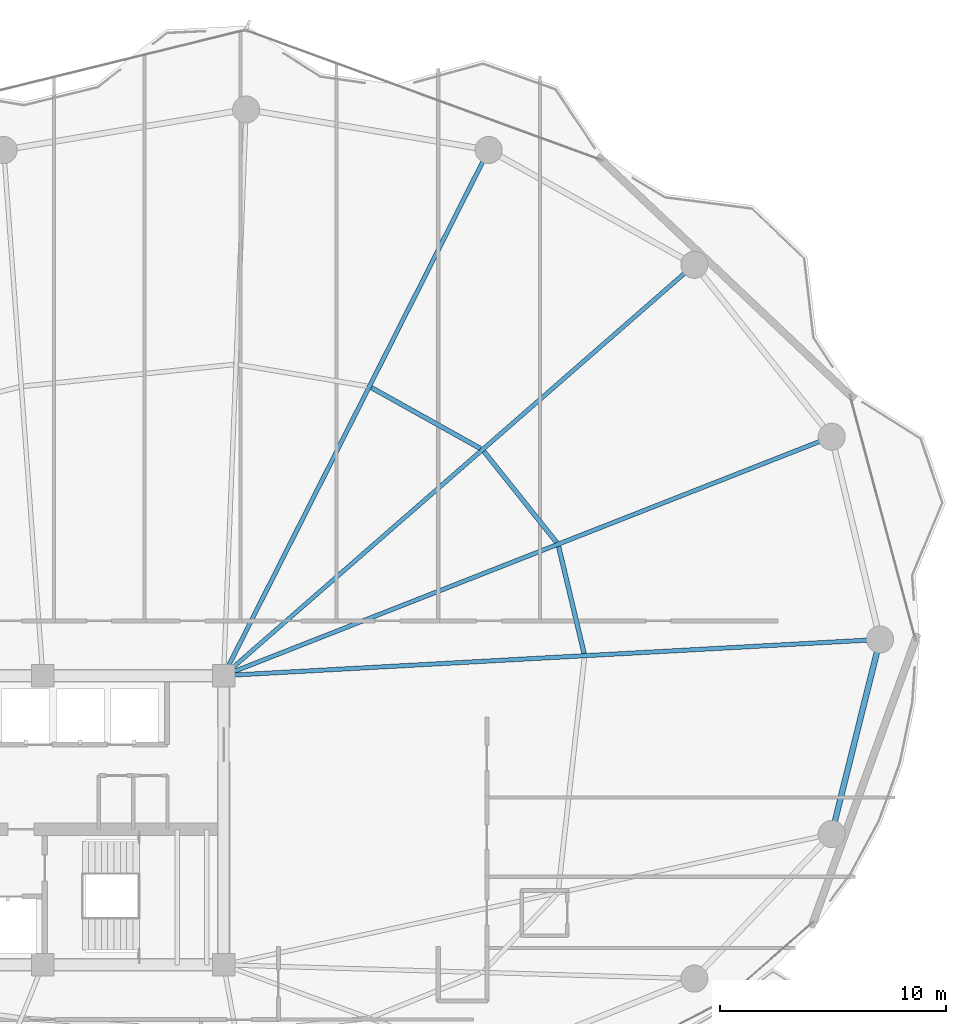
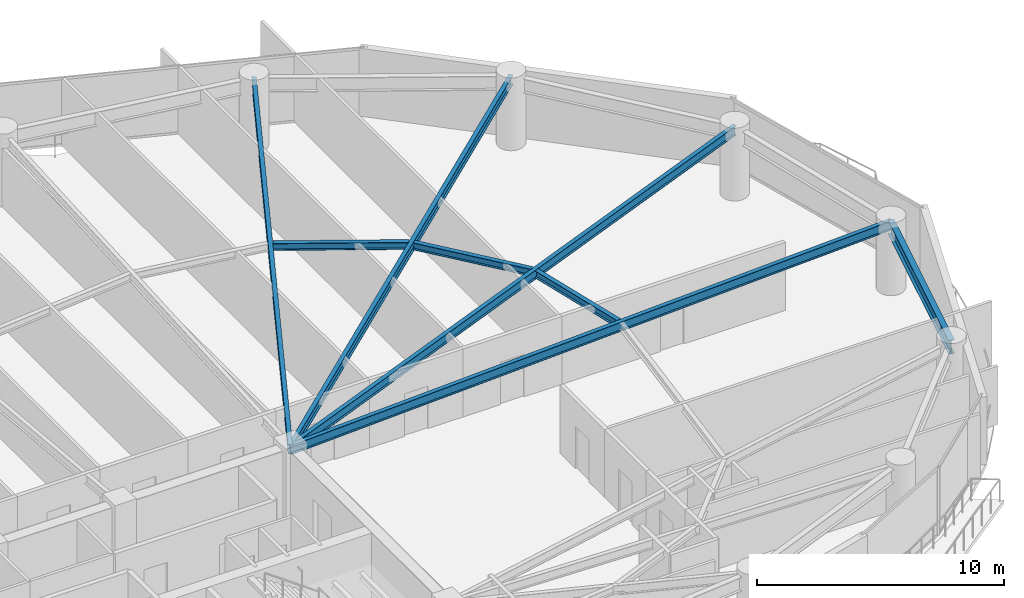
# One storey, part 14 of 28: 8 beams.
"""IFC4 building model written with IfcOpenShell, lengths in metres."""

from ifc_helpers import new_model, si_unit, direction, frame, origin, origin_2d, place, context, subcontext, project, spatial, i_section, extrude, material, material_profile, profile_set, type_object, element, save


model = new_model("IFC4")

# Units and contexts
model_context = context("Model", 3, precision=1e-05, world=origin(), true_north=direction((0.0, 1.0)))
body_context = subcontext(model_context, "Body", "Model", "MODEL_VIEW")
ifc_project = project(units=[si_unit("LENGTHUNIT", "METRE"), si_unit("AREAUNIT", "SQUARE_METRE"), si_unit("VOLUMEUNIT", "CUBIC_METRE"), si_unit("PLANEANGLEUNIT", "RADIAN"), si_unit("MASSUNIT", "GRAM", prefix="KILO")], contexts=[model_context])

# Site, building, storey
site_placement = place(None, origin())
site = spatial("IfcSite", under=ifc_project, at=site_placement, CompositionType="ELEMENT")
building_placement = place(site_placement, origin())
building = spatial("IfcBuilding", under=site, at=building_placement, Name="Kazevale Care Tower and Concert Hall", CompositionType="ELEMENT")
storey_placement = place(building_placement, frame((0.0, 0.0, 120.60009765625)))
storey = spatial("IfcBuildingStorey", under=building, at=storey_placement, Name="L31", CompositionType="ELEMENT", Elevation=120.60009765625)

# Beams
ifc_material = material(Name="Steel ASTM A572 Gr 50", Category="steel")
ifc_material_profile_1 = material_profile(ifc_material, i_section(OverallWidth=0.19091796875, OverallDepth=0.4599609375, WebThickness=0.010009765625, FlangeThickness=0.01611328125, at=origin_2d()), Name="W460x82")
ifc_profile_set_1 = profile_set([ifc_material_profile_1], Name="Steel ASTM A572 Gr 50")
beam_type_1 = type_object("IfcBeamType", Name="Radial Floor Beam W460x82", PredefinedType="BEAM", material=ifc_profile_set_1)
beam_1_placement = place(storey_placement, frame((44.0, 36.39990234375, 3.1298828125), z_axis=(0.998486500016, 0.054997357076, 0.0), x_axis=(-0.054997357076, 0.998486500016, 0.0)))
element("IfcBeam", 1, at=beam_1_placement, inside=storey, type_object=beam_type_1, Name="beam:L31:rad:01", PredefinedType="BEAM", context=body_context, shape_type="SweptSolid", body=[
    extrude(i_section(OverallWidth=0.19091796875, OverallDepth=0.4599609375, WebThickness=0.010009765625, FlangeThickness=0.01611328125, at=origin_2d()), origin(), (0.0, 0.0, 1.0), 29.093994140625),
])
beam_2_placement = place(storey_placement, frame((44.0, 36.39990234375, 3.1298828125), z_axis=(0.930771301513, 0.36560194786, 0.0), x_axis=(-0.36560194786, 0.930771301513, 0.0)))
element("IfcBeam", 2, at=beam_2_placement, inside=storey, type_object=beam_type_1, Name="beam:L31:rad:02", PredefinedType="BEAM", context=body_context, shape_type="SweptSolid", body=[
    extrude(i_section(OverallWidth=0.19091796875, OverallDepth=0.4599609375, WebThickness=0.010009765625, FlangeThickness=0.01611328125, at=origin_2d()), origin(), (0.0, 0.0, 1.0), 28.911376953125),
])
beam_3_placement = place(storey_placement, frame((44.0, 36.39990234375, 3.1298828125), z_axis=(0.753403181998, 0.657558853149, 0.0), x_axis=(-0.657558853149, 0.753403181998, 0.0)))
element("IfcBeam", 3, at=beam_3_placement, inside=storey, type_object=beam_type_1, Name="beam:L31:rad:03", PredefinedType="BEAM", context=body_context, shape_type="SweptSolid", body=[
    extrude(i_section(OverallWidth=0.19091796875, OverallDepth=0.4599609375, WebThickness=0.010009765625, FlangeThickness=0.01611328125, at=origin_2d()), origin(), (0.0, 0.0, 1.0), 27.64794921875),
])
beam_4_placement = place(storey_placement, frame((44.0, 36.39990234375, 3.1298828125), z_axis=(0.450281187568, 0.892886808124, 0.0), x_axis=(-0.892886808124, 0.450281187568, 0.0)))
element("IfcBeam", 4, at=beam_4_placement, inside=storey, type_object=beam_type_1, Name="beam:L31:rad:04", PredefinedType="BEAM", context=body_context, shape_type="SweptSolid", body=[
    extrude(i_section(OverallWidth=0.19091796875, OverallDepth=0.4599609375, WebThickness=0.010009765625, FlangeThickness=0.01611328125, at=origin_2d()), origin(), (0.0, 0.0, 1.0), 26.05029296875),
])
ifc_material_profile_2 = material_profile(ifc_material, i_section(OverallWidth=0.205078125, OverallDepth=0.35400390625, WebThickness=0.009521484375, FlangeThickness=0.016845703125, at=origin_2d()), Name="W360x79")
ifc_profile_set_2 = profile_set([ifc_material_profile_2], Name="Steel ASTM A572 Gr 50")
beam_type_2 = type_object("IfcBeamType", Name="Secondary Floor Joist W360x79", PredefinedType="JOIST", material=ifc_profile_set_2)
beam_5_placement = place(storey_placement, frame((59.952880859375, 37.382080078125, 3.182861328125), z_axis=(-0.232005223279, 0.972714540023, 0.0), x_axis=(-0.972714540023, -0.232005223279, 0.0)))
element("IfcBeam", 5, at=beam_5_placement, inside=storey, type_object=beam_type_2, Name="beam:L31:joist:01", PredefinedType="JOIST", context=body_context, shape_type="SweptSolid", body=[
    extrude(i_section(OverallWidth=0.205078125, OverallDepth=0.35400390625, WebThickness=0.009521484375, FlangeThickness=0.016845703125, at=origin_2d()), origin(), (0.0, 0.0, 1.0), 4.861572265625),
])
beam_6_placement = place(storey_placement, frame((58.735107421875, 42.2958984375, 3.182861328125), z_axis=(-0.624261115922, 0.781215757104, 0.0), x_axis=(-0.781215757104, -0.624261115922, 0.0)))
element("IfcBeam", 6, at=beam_6_placement, inside=storey, type_object=beam_type_2, Name="beam:L31:joist:02", PredefinedType="JOIST", context=body_context, shape_type="SweptSolid", body=[
    extrude(i_section(OverallWidth=0.205078125, OverallDepth=0.35400390625, WebThickness=0.009521484375, FlangeThickness=0.016845703125, at=origin_2d()), origin(), (0.0, 0.0, 1.0), 5.147216796875),
])
beam_7_placement = place(storey_placement, frame((55.364990234375, 46.449951171875, 3.182861328125), z_axis=(-0.873137755824, 0.487473547338, 0.0), x_axis=(-0.487473547338, -0.873137755824, 0.0)))
element("IfcBeam", 7, at=beam_7_placement, inside=storey, type_object=beam_type_2, Name="beam:L31:joist:03", PredefinedType="JOIST", context=body_context, shape_type="SweptSolid", body=[
    extrude(i_section(OverallWidth=0.205078125, OverallDepth=0.35400390625, WebThickness=0.009521484375, FlangeThickness=0.016845703125, at=origin_2d()), origin(), (0.0, 0.0, 1.0), 5.522705078125),
])
ifc_material_profile_3 = material_profile(ifc_material, i_section(OverallWidth=0.256103515625, OverallDepth=0.693115234375, WebThickness=0.014404296875, FlangeThickness=0.023681640625, at=origin_2d()), Name="W690x170")
ifc_profile_set_3 = profile_set([ifc_material_profile_3], Name="Steel ASTM A572 Gr 50")
beam_type_3 = type_object("IfcBeamType", Name="Waist Ring Beam W690x170", PredefinedType="BEAM", material=ifc_profile_set_3)
beam_8_placement = place(storey_placement, frame((70.909912109375, 29.389892578125, 3.013427734375), z_axis=(0.241221022882, 0.970470204653, 0.0), x_axis=(-0.970470204653, 0.241221022882, 0.0)))
element("IfcBeam", 8, at=beam_8_placement, inside=storey, type_object=beam_type_3, Name="beam:L31:ring:16", PredefinedType="BEAM", context=body_context, shape_type="SweptSolid", body=[
    extrude(i_section(OverallWidth=0.256103515625, OverallDepth=0.693115234375, WebThickness=0.014404296875, FlangeThickness=0.023681640625, at=origin_2d()), origin(), (0.0, 0.0, 1.0), 8.8720703125),
])

save(model, "model.ifc")
